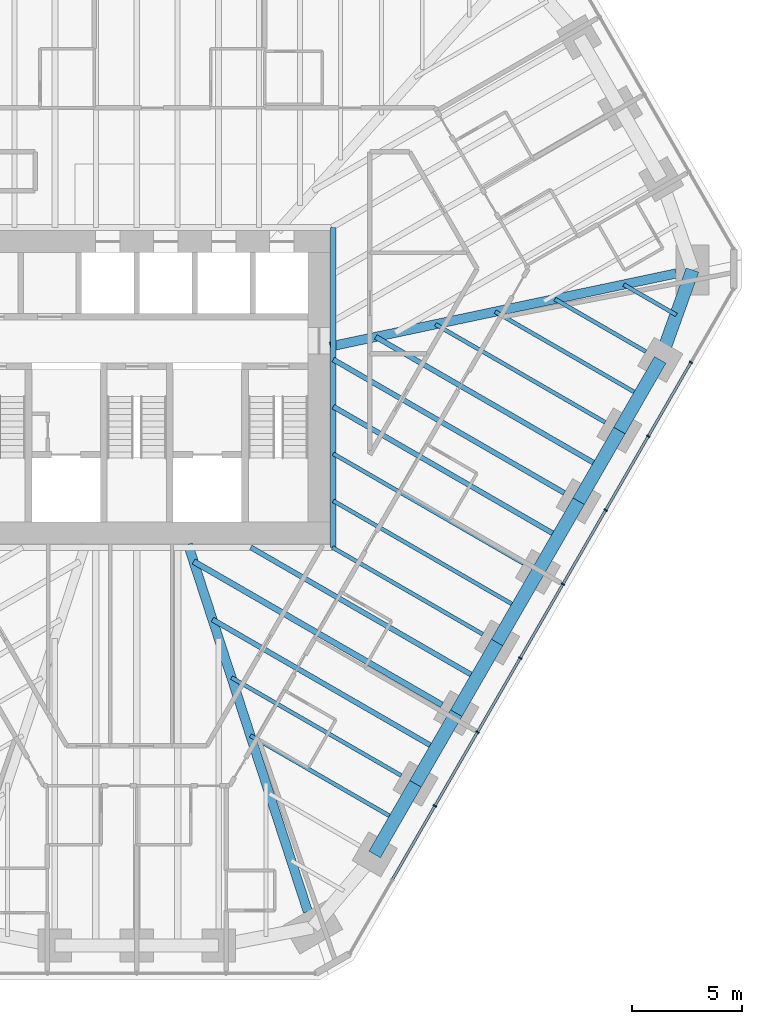
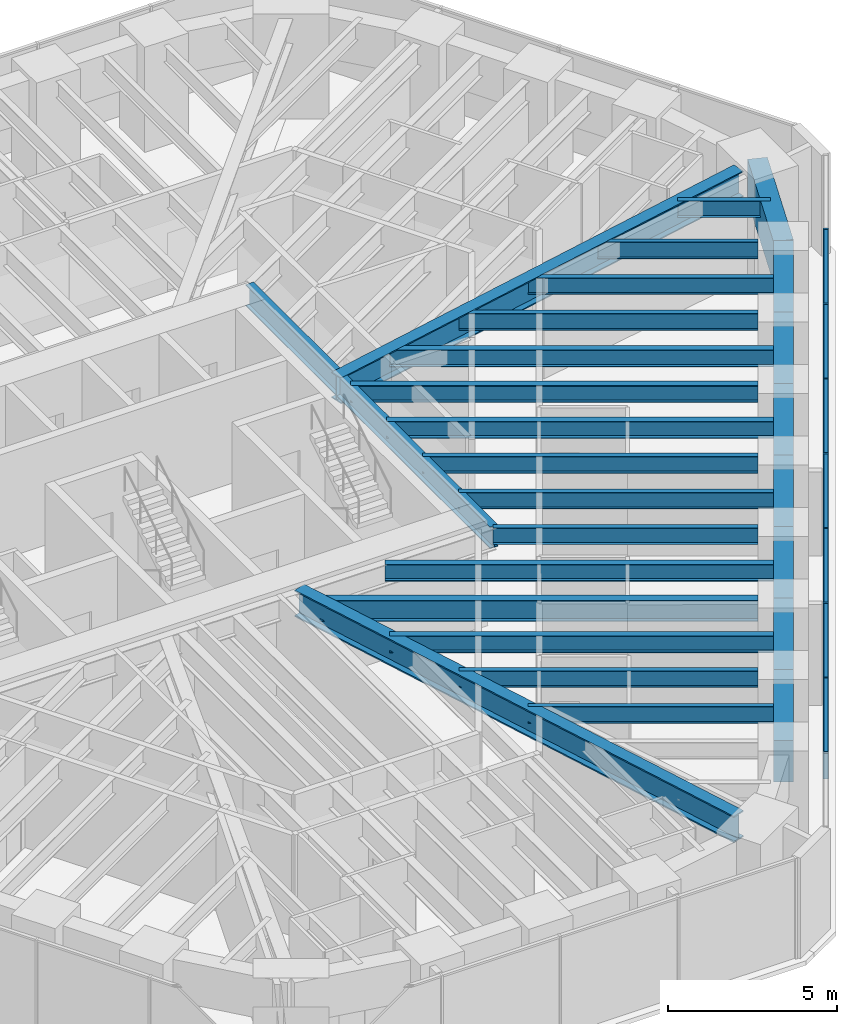
# One storey, part 5 of 17: 26 beams, 14 members, 1 element without a shape of its own.
"""IFC4 building model written with IfcOpenShell, lengths in metres."""

from ifc_helpers import new_model, si_unit, direction, frame, origin, origin_2d, place, context, subcontext, project, spatial, rectangle, i_section, extrude, material, material_profile, profile_set, type_object, element, aggregate, save


model = new_model("IFC4")

# Units and contexts
model_context = context("Model", 3, precision=1e-05, world=origin(), true_north=direction((0.0, 1.0)))
body_context = subcontext(model_context, "Body", "Model", "MODEL_VIEW")
ifc_project = project(units=[si_unit("LENGTHUNIT", "METRE"), si_unit("AREAUNIT", "SQUARE_METRE"), si_unit("VOLUMEUNIT", "CUBIC_METRE"), si_unit("PLANEANGLEUNIT", "RADIAN"), si_unit("MASSUNIT", "GRAM", prefix="KILO")], contexts=[model_context])

# Site, building, storey
site_placement = place(None, origin())
site = spatial("IfcSite", under=ifc_project, at=site_placement, CompositionType="ELEMENT")
building_placement = place(site_placement, origin())
building = spatial("IfcBuilding", under=site, at=building_placement, Name="Sandreach Pilgrim Tower", CompositionType="ELEMENT")
storey_placement = place(building_placement, frame((0.0, 0.0, 194.60009765625)))
storey = spatial("IfcBuildingStorey", under=building, at=storey_placement, Name="L48", CompositionType="ELEMENT", Elevation=194.60009765625)

# Curtain wall, members
ifc_material_1 = material(Name="Aluminium framed curtain wall", Category="aluminium")
curtain_wall_type = type_object("IfcCurtainWallType", Name="Upper hotel tower curtain wall", PredefinedType="NOTDEFINED", material=ifc_material_1)
curtain_wall_placement = place(storey_placement, origin())
curtain_wall = element("IfcCurtainWall", 1, at=curtain_wall_placement, inside=storey, type_object=curtain_wall_type, Name="CW-3 L48 SE", PredefinedType="NOTDEFINED")
ifc_material_2 = material(Name="Aluminium extrusion", Category="aluminium")
ifc_material_profile_1 = material_profile(ifc_material_2, rectangle(XDim=0.06494140625, YDim=0.159912109375, at=origin_2d()), Name="CW-3M 65X160")
ifc_profile_set_1 = profile_set([ifc_material_profile_1], Name="Aluminium extrusion")
member_type_1 = type_object("IfcMemberType", Name="CW-3 mullion", PredefinedType="MULLION", material=ifc_profile_set_1)
member_1_placement = place(storey_placement, frame((25.087890625, 1.13330078125, 0.0), z_axis=(0.0, 0.0, 1.0), x_axis=(-0.5, -0.866025403784, 0.0)))
member_1 = element("IfcMember", 2, at=member_1_placement, type_object=member_type_1, Name="CW-3 mullion 2", PredefinedType="MULLION", context=body_context, shape_type="SweptSolid", body=[
    extrude(rectangle(XDim=0.06494140625, YDim=0.159912109375, at=origin_2d()), origin(), (0.0, 0.0, 1.0), 3.639892578125),
])
member_2_placement = place(storey_placement, frame((23.15576171875, -2.21337890625, 0.0), z_axis=(0.0, 0.0, 1.0), x_axis=(-0.5, -0.866025403784, 0.0)))
member_2 = element("IfcMember", 3, at=member_2_placement, type_object=member_type_1, Name="CW-3 mullion 3", PredefinedType="MULLION", context=body_context, shape_type="SweptSolid", body=[
    extrude(rectangle(XDim=0.06494140625, YDim=0.159912109375, at=origin_2d()), origin(), (0.0, 0.0, 1.0), 3.639892578125),
])
member_3_placement = place(storey_placement, frame((21.223388671875, -5.56005859375, 0.0), z_axis=(0.0, 0.0, 1.0), x_axis=(-0.5, -0.866025403784, 0.0)))
member_3 = element("IfcMember", 4, at=member_3_placement, type_object=member_type_1, Name="CW-3 mullion 4", PredefinedType="MULLION", context=body_context, shape_type="SweptSolid", body=[
    extrude(rectangle(XDim=0.06494140625, YDim=0.159912109375, at=origin_2d()), origin(), (0.0, 0.0, 1.0), 3.639892578125),
])
member_4_placement = place(storey_placement, frame((19.291259765625, -8.90673828125, 0.0), z_axis=(0.0, 0.0, 1.0), x_axis=(-0.5, -0.866025403784, 0.0)))
member_4 = element("IfcMember", 5, at=member_4_placement, type_object=member_type_1, Name="CW-3 mullion 5", PredefinedType="MULLION", context=body_context, shape_type="SweptSolid", body=[
    extrude(rectangle(XDim=0.06494140625, YDim=0.159912109375, at=origin_2d()), origin(), (0.0, 0.0, 1.0), 3.639892578125),
])
member_5_placement = place(storey_placement, frame((17.359130859375, -12.25341796875, 0.0), z_axis=(0.0, 0.0, 1.0), x_axis=(-0.5, -0.866025403784, 0.0)))
member_5 = element("IfcMember", 6, at=member_5_placement, type_object=member_type_1, Name="CW-3 mullion 6", PredefinedType="MULLION", context=body_context, shape_type="SweptSolid", body=[
    extrude(rectangle(XDim=0.06494140625, YDim=0.159912109375, at=origin_2d()), origin(), (0.0, 0.0, 1.0), 3.639892578125),
])
member_6_placement = place(storey_placement, frame((15.4267578125, -15.60009765625, 0.0), z_axis=(0.0, 0.0, 1.0), x_axis=(-0.5, -0.866025403784, 0.0)))
member_6 = element("IfcMember", 7, at=member_6_placement, type_object=member_type_1, Name="CW-3 mullion 7", PredefinedType="MULLION", context=body_context, shape_type="SweptSolid", body=[
    extrude(rectangle(XDim=0.06494140625, YDim=0.159912109375, at=origin_2d()), origin(), (0.0, 0.0, 1.0), 3.639892578125),
])
member_7_placement = place(storey_placement, frame((13.49462890625, -18.94677734375, 0.0), z_axis=(0.0, 0.0, 1.0), x_axis=(-0.5, -0.866025403784, 0.0)))
member_7 = element("IfcMember", 8, at=member_7_placement, type_object=member_type_1, Name="CW-3 mullion 8", PredefinedType="MULLION", context=body_context, shape_type="SweptSolid", body=[
    extrude(rectangle(XDim=0.06494140625, YDim=0.159912109375, at=origin_2d()), origin(), (0.0, 0.0, 1.0), 3.639892578125),
])
ifc_material_3 = material(Name="Aluminium extrusion", Category="aluminium")
ifc_material_profile_2 = material_profile(ifc_material_3, rectangle(XDim=0.1201171875, YDim=0.070068359375, at=origin_2d()), Name="CW-3T 120X70")
ifc_profile_set_2 = profile_set([ifc_material_profile_2], Name="Aluminium extrusion")
member_type_2 = type_object("IfcMemberType", Name="CW-3 transom", PredefinedType="USERDEFINED", material=ifc_profile_set_2)
member_8_placement = place(storey_placement, frame((25.07177734375, 1.105224609375, 3.60498046875), z_axis=(-0.500022797313, -0.86601224135, 0.0), x_axis=(0.86601224135, -0.500022797313, 0.0)))
member_8 = element("IfcMember", 9, at=member_8_placement, type_object=member_type_2, Name="CW-3 head transom 2", ObjectType="TRANSOM", PredefinedType="USERDEFINED", context=body_context, shape_type="SweptSolid", body=[
    extrude(rectangle(XDim=0.1201171875, YDim=0.070068359375, at=origin_2d()), origin(), (0.0, 0.0, 1.0), 3.799560546875),
])
member_9_placement = place(storey_placement, frame((23.139404296875, -2.241455078125, 3.60498046875), z_axis=(-0.499974606132, -0.866040064445, 0.0), x_axis=(0.866040064445, -0.499974606132, 0.0)))
member_9 = element("IfcMember", 10, at=member_9_placement, type_object=member_type_2, Name="CW-3 head transom 3", ObjectType="TRANSOM", PredefinedType="USERDEFINED", context=body_context, shape_type="SweptSolid", body=[
    extrude(rectangle(XDim=0.1201171875, YDim=0.070068359375, at=origin_2d()), origin(), (0.0, 0.0, 1.0), 3.799560546875),
])
member_10_placement = place(storey_placement, frame((21.207275390625, -5.588134765625, 3.60498046875), z_axis=(-0.499974606132, -0.866040064445, 0.0), x_axis=(0.866040064445, -0.499974606132, 0.0)))
member_10 = element("IfcMember", 11, at=member_10_placement, type_object=member_type_2, Name="CW-3 head transom 4", ObjectType="TRANSOM", PredefinedType="USERDEFINED", context=body_context, shape_type="SweptSolid", body=[
    extrude(rectangle(XDim=0.1201171875, YDim=0.070068359375, at=origin_2d()), origin(), (0.0, 0.0, 1.0), 3.799560546875),
])
member_11_placement = place(storey_placement, frame((19.275146484375, -8.934814453125, 3.60498046875), z_axis=(-0.500022797313, -0.86601224135, 0.0), x_axis=(0.86601224135, -0.500022797313, 0.0)))
member_11 = element("IfcMember", 12, at=member_11_placement, type_object=member_type_2, Name="CW-3 head transom 5", ObjectType="TRANSOM", PredefinedType="USERDEFINED", context=body_context, shape_type="SweptSolid", body=[
    extrude(rectangle(XDim=0.1201171875, YDim=0.070068359375, at=origin_2d()), origin(), (0.0, 0.0, 1.0), 3.799560546875),
])
member_12_placement = place(storey_placement, frame((17.3427734375, -12.281494140625, 3.60498046875), z_axis=(-0.499974606132, -0.866040064445, 0.0), x_axis=(0.866040064445, -0.499974606132, 0.0)))
member_12 = element("IfcMember", 13, at=member_12_placement, type_object=member_type_2, Name="CW-3 head transom 6", ObjectType="TRANSOM", PredefinedType="USERDEFINED", context=body_context, shape_type="SweptSolid", body=[
    extrude(rectangle(XDim=0.1201171875, YDim=0.070068359375, at=origin_2d()), origin(), (0.0, 0.0, 1.0), 3.799560546875),
])
member_13_placement = place(storey_placement, frame((15.41064453125, -15.628173828125, 3.60498046875), z_axis=(-0.499974606132, -0.866040064445, 0.0), x_axis=(0.866040064445, -0.499974606132, 0.0)))
member_13 = element("IfcMember", 14, at=member_13_placement, type_object=member_type_2, Name="CW-3 head transom 7", ObjectType="TRANSOM", PredefinedType="USERDEFINED", context=body_context, shape_type="SweptSolid", body=[
    extrude(rectangle(XDim=0.1201171875, YDim=0.070068359375, at=origin_2d()), origin(), (0.0, 0.0, 1.0), 3.799560546875),
])
member_14_placement = place(storey_placement, frame((13.478515625, -18.974853515625, 3.60498046875), z_axis=(-0.500022797313, -0.86601224135, 0.0), x_axis=(0.86601224135, -0.500022797313, 0.0)))
member_14 = element("IfcMember", 15, at=member_14_placement, type_object=member_type_2, Name="CW-3 head transom 8", ObjectType="TRANSOM", PredefinedType="USERDEFINED", context=body_context, shape_type="SweptSolid", body=[
    extrude(rectangle(XDim=0.1201171875, YDim=0.070068359375, at=origin_2d()), origin(), (0.0, 0.0, 1.0), 3.799560546875),
])
aggregate(curtain_wall, [member_1, member_2, member_3, member_4, member_5, member_6, member_7, member_8, member_9, member_10, member_11, member_12, member_13, member_14])

# Beams
ifc_material_4 = material(Name="Steel ASTM A992 Grade 50", Category="steel")
ifc_material_profile_3 = material_profile(ifc_material_4, i_section(OverallWidth=0.2666015625, OverallDepth=0.77978515625, WebThickness=0.0166015625, FlangeThickness=0.030029296875, at=origin_2d()), Name="W30X148")
ifc_profile_set_3 = profile_set([ifc_material_profile_3], Name="Steel ASTM A992 Grade 50")
beam_type_1 = type_object("IfcBeamType", Name="Core edge beam W30X148", PredefinedType="BEAM", material=ifc_profile_set_3)
beam_1_placement = place(storey_placement, frame((8.893310546875, 7.243408203125, 3.25), z_axis=(0.0, -1.0, 0.0), x_axis=(1.0, 0.0, 0.0)))
element("IfcBeam", 16, at=beam_1_placement, inside=storey, type_object=beam_type_1, Name="BM L48 CEE", PredefinedType="BEAM", context=body_context, shape_type="SweptSolid", body=[
    extrude(i_section(OverallWidth=0.2666015625, OverallDepth=0.77978515625, WebThickness=0.0166015625, FlangeThickness=0.030029296875, at=origin_2d()), origin(), (0.0, 0.0, 1.0), 14.48681640625),
])
ifc_material_5 = material(Name="Steel ASTM A992 Grade 50", Category="steel")
ifc_material_profile_4 = material_profile(ifc_material_5, i_section(OverallWidth=0.421630859375, OverallDepth=0.937255859375, WebThickness=0.0224609375, FlangeThickness=0.039794921875, at=origin_2d()), Name="W36X282")
ifc_profile_set_4 = profile_set([ifc_material_profile_4], Name="Steel ASTM A992 Grade 50")
beam_type_2 = type_object("IfcBeamType", Name="Corner girder W36X282", PredefinedType="BEAM", material=ifc_profile_set_4)
beam_2_placement = place(storey_placement, frame((24.422607421875, 5.156494140625, 3.17138671875), z_axis=(-0.978428978804, -0.206583478132, 0.0), x_axis=(0.206583478132, -0.978428978804, 0.0)))
element("IfcBeam", 17, at=beam_2_placement, inside=storey, type_object=beam_type_2, Name="BM L48 CG13", PredefinedType="BEAM", context=body_context, shape_type="SweptSolid", body=[
    extrude(i_section(OverallWidth=0.421630859375, OverallDepth=0.937255859375, WebThickness=0.0224609375, FlangeThickness=0.039794921875, at=origin_2d()), origin(), (0.0, 0.0, 1.0), 16.01806640625),
])
ifc_material_6 = material(Name="Steel ASTM A992 Grade 50", Category="steel")
ifc_material_profile_5 = material_profile(ifc_material_6, i_section(OverallWidth=0.421630859375, OverallDepth=0.95751953125, WebThickness=0.02587890625, FlangeThickness=0.046875, at=origin_2d()), Name="W36X330")
ifc_profile_set_5 = profile_set([ifc_material_profile_5], Name="Steel ASTM A992 Grade 50")
beam_type_3 = type_object("IfcBeamType", Name="Corner girder W36X330", PredefinedType="BEAM", material=ifc_profile_set_5)
beam_3_placement = place(storey_placement, frame((7.745849609375, -23.72900390625, 3.1611328125), z_axis=(-0.310317870968, 0.950632851819, 0.0), x_axis=(-0.950632851819, -0.310317870968, 0.0)))
element("IfcBeam", 18, at=beam_3_placement, inside=storey, type_object=beam_type_3, Name="BM L48 CG22", PredefinedType="BEAM", context=body_context, shape_type="SweptSolid", body=[
    extrude(i_section(OverallWidth=0.421630859375, OverallDepth=0.95751953125, WebThickness=0.02587890625, FlangeThickness=0.046875, at=origin_2d()), origin(), (0.0, 0.0, 1.0), 17.492431640625),
])
ifc_material_7 = material(Name="Steel ASTM A992 Grade 50", Category="steel")
ifc_material_profile_6 = material_profile(ifc_material_7, i_section(OverallWidth=0.1787109375, OverallDepth=0.60205078125, WebThickness=0.010986328125, FlangeThickness=0.014892578125, at=origin_2d()), Name="W24X62")
ifc_profile_set_6 = profile_set([ifc_material_profile_6], Name="Steel ASTM A992 Grade 50")
beam_type_4 = type_object("IfcBeamType", Name="Floor beam W24X62", PredefinedType="BEAM", material=ifc_profile_set_6)
beam_4_placement = place(storey_placement, frame((23.04638671875, 1.6171875, 3.3388671875), z_axis=(-0.86603347311, 0.499986023258, 0.0), x_axis=(-0.499986023258, -0.86603347311, 0.0)))
element("IfcBeam", 19, at=beam_4_placement, inside=storey, type_object=beam_type_4, Name="BM L48 F14", PredefinedType="BEAM", context=body_context, shape_type="SweptSolid", body=[
    extrude(i_section(OverallWidth=0.1787109375, OverallDepth=0.60205078125, WebThickness=0.010986328125, FlangeThickness=0.014892578125, at=origin_2d()), origin(), (0.0, 0.0, 1.0), 4.757568359375),
])
beam_5_placement = place(storey_placement, frame((21.2001953125, -1.58056640625, 3.3388671875), z_axis=(-0.866027448082, 0.499996459156, 0.0), x_axis=(-0.499996459156, -0.866027448082, 0.0)))
element("IfcBeam", 20, at=beam_5_placement, inside=storey, type_object=beam_type_4, Name="BM L48 F15", PredefinedType="BEAM", context=body_context, shape_type="SweptSolid", body=[
    extrude(i_section(OverallWidth=0.1787109375, OverallDepth=0.60205078125, WebThickness=0.010986328125, FlangeThickness=0.014892578125, at=origin_2d()), origin(), (0.0, 0.0, 1.0), 8.86962890625),
])
beam_6_placement = place(storey_placement, frame((17.507568359375, -7.97607421875, 3.3388671875), z_axis=(-0.866027815265, 0.499995823171, 0.0), x_axis=(-0.499995823171, -0.866027815265, 0.0)))
element("IfcBeam", 21, at=beam_6_placement, inside=storey, type_object=beam_type_4, Name="BM L48 F17", PredefinedType="BEAM", context=body_context, shape_type="SweptSolid", body=[
    extrude(i_section(OverallWidth=0.1787109375, OverallDepth=0.60205078125, WebThickness=0.010986328125, FlangeThickness=0.014892578125, at=origin_2d()), origin(), (0.0, 0.0, 1.0), 9.94677734375),
])
beam_7_placement = place(storey_placement, frame((15.661376953125, -11.173828125, 3.3388671875), z_axis=(-0.866038711524, 0.49997694961, 0.0), x_axis=(-0.49997694961, -0.866038711524, 0.0)))
element("IfcBeam", 22, at=beam_7_placement, inside=storey, type_object=beam_type_4, Name="BM L48 F18", PredefinedType="BEAM", context=body_context, shape_type="SweptSolid", body=[
    extrude(i_section(OverallWidth=0.1787109375, OverallDepth=0.60205078125, WebThickness=0.010986328125, FlangeThickness=0.014892578125, at=origin_2d()), origin(), (0.0, 0.0, 1.0), 7.861083984375),
])
beam_8_placement = place(storey_placement, frame((11.96875, -17.569580078125, 3.3388671875), z_axis=(-0.866020566617, 0.500008378126, 0.0), x_axis=(-0.500008378126, -0.866020566617, 0.0)))
element("IfcBeam", 23, at=beam_8_placement, inside=storey, type_object=beam_type_4, Name="BM L48 F20", PredefinedType="BEAM", context=body_context, shape_type="SweptSolid", body=[
    extrude(i_section(OverallWidth=0.1787109375, OverallDepth=0.60205078125, WebThickness=0.010986328125, FlangeThickness=0.014892578125, at=origin_2d()), origin(), (0.0, 0.0, 1.0), 8.869384765625),
])
beam_9_placement = place(storey_placement, frame((24.42626953125, 3.27685546875, 3.3388671875), z_axis=(-0.866046803606, 0.49996293259, 0.0), x_axis=(-0.49996293259, -0.866046803606, 0.0)))
element("IfcBeam", 24, at=beam_9_placement, inside=storey, type_object=beam_type_4, Name="BM L48 FM13", PredefinedType="BEAM", context=body_context, shape_type="SweptSolid", body=[
    extrude(i_section(OverallWidth=0.1787109375, OverallDepth=0.60205078125, WebThickness=0.010986328125, FlangeThickness=0.014892578125, at=origin_2d()), origin(), (0.0, 0.0, 1.0), 2.753662109375),
])
beam_10_placement = place(storey_placement, frame((22.772705078125, -0.356689453125, 3.3388671875), z_axis=(-0.866029704776, 0.49999255039, 0.0), x_axis=(-0.49999255039, -0.866029704776, 0.0)))
element("IfcBeam", 25, at=beam_10_placement, inside=storey, type_object=beam_type_4, Name="BM L48 FM14", PredefinedType="BEAM", context=body_context, shape_type="SweptSolid", body=[
    extrude(i_section(OverallWidth=0.1787109375, OverallDepth=0.60205078125, WebThickness=0.010986328125, FlangeThickness=0.014892578125, at=origin_2d()), origin(), (0.0, 0.0, 1.0), 7.5634765625),
])
beam_11_placement = place(storey_placement, frame((17.23388671875, -9.949951171875, 3.3388671875), z_axis=(-0.866025593094, 0.499999672107, 0.0), x_axis=(-0.499999672107, -0.866025593094, 0.0)))
element("IfcBeam", 26, at=beam_11_placement, inside=storey, type_object=beam_type_4, Name="BM L48 FM17", PredefinedType="BEAM", context=body_context, shape_type="SweptSolid", body=[
    extrude(i_section(OverallWidth=0.1787109375, OverallDepth=0.60205078125, WebThickness=0.010986328125, FlangeThickness=0.014892578125, at=origin_2d()), origin(), (0.0, 0.0, 1.0), 9.630859375),
])
beam_12_placement = place(storey_placement, frame((11.6953125, -19.54345703125, 3.3388671875), z_axis=(-0.866029704776, 0.49999255039, 0.0), x_axis=(-0.49999255039, -0.866029704776, 0.0)))
element("IfcBeam", 27, at=beam_12_placement, inside=storey, type_object=beam_type_4, Name="BM L48 FM20", PredefinedType="BEAM", context=body_context, shape_type="SweptSolid", body=[
    extrude(i_section(OverallWidth=0.1787109375, OverallDepth=0.60205078125, WebThickness=0.010986328125, FlangeThickness=0.014892578125, at=origin_2d()), origin(), (0.0, 0.0, 1.0), 7.5634765625),
])
ifc_material_8 = material(Name="Steel ASTM A992 Grade 50", Category="steel")
ifc_material_profile_7 = material_profile(ifc_material_8, i_section(OverallWidth=0.23046875, OverallDepth=0.6171875, WebThickness=0.01318359375, FlangeThickness=0.022216796875, at=origin_2d()), Name="W24X94")
ifc_profile_set_7 = profile_set([ifc_material_profile_7], Name="Steel ASTM A992 Grade 50")
beam_type_5 = type_object("IfcBeamType", Name="Floor beam W24X94", PredefinedType="BEAM", material=ifc_profile_set_7)
beam_13_placement = place(storey_placement, frame((19.353759765625, -4.7783203125, 3.331298828125), z_axis=(-0.866026713419, 0.49999773164, 0.0), x_axis=(-0.49999773164, -0.866026713419, 0.0)))
element("IfcBeam", 28, at=beam_13_placement, inside=storey, type_object=beam_type_5, Name="BM L48 F16", PredefinedType="BEAM", context=body_context, shape_type="SweptSolid", body=[
    extrude(i_section(OverallWidth=0.23046875, OverallDepth=0.6171875, WebThickness=0.01318359375, FlangeThickness=0.022216796875, at=origin_2d()), origin(), (0.0, 0.0, 1.0), 12.07861328125),
])
beam_14_placement = place(storey_placement, frame((20.926513671875, -3.554443359375, 3.331298828125), z_axis=(-0.866026454974, 0.499998179282, 0.0), x_axis=(-0.499998179282, -0.866026454974, 0.0)))
element("IfcBeam", 29, at=beam_14_placement, inside=storey, type_object=beam_type_5, Name="BM L48 FM15", PredefinedType="BEAM", context=body_context, shape_type="SweptSolid", body=[
    extrude(i_section(OverallWidth=0.23046875, OverallDepth=0.6171875, WebThickness=0.01318359375, FlangeThickness=0.022216796875, at=origin_2d()), origin(), (0.0, 0.0, 1.0), 11.67578125),
])
beam_15_placement = place(storey_placement, frame((19.080322265625, -6.752197265625, 3.331298828125), z_axis=(-0.866030053141, 0.499991946992, 0.0), x_axis=(-0.499991946992, -0.866030053141, 0.0)))
element("IfcBeam", 30, at=beam_15_placement, inside=storey, type_object=beam_type_5, Name="BM L48 FM16", PredefinedType="BEAM", context=body_context, shape_type="SweptSolid", body=[
    extrude(i_section(OverallWidth=0.23046875, OverallDepth=0.6171875, WebThickness=0.01318359375, FlangeThickness=0.022216796875, at=origin_2d()), origin(), (0.0, 0.0, 1.0), 11.762939453125),
])
beam_16_placement = place(storey_placement, frame((15.3876953125, -13.14794921875, 3.331298828125), z_axis=(-0.866022050506, 0.500005808004, 0.0), x_axis=(-0.500005808004, -0.866022050506, 0.0)))
element("IfcBeam", 31, at=beam_16_placement, inside=storey, type_object=beam_type_5, Name="BM L48 FM18", PredefinedType="BEAM", context=body_context, shape_type="SweptSolid", body=[
    extrude(i_section(OverallWidth=0.23046875, OverallDepth=0.6171875, WebThickness=0.01318359375, FlangeThickness=0.022216796875, at=origin_2d()), origin(), (0.0, 0.0, 1.0), 11.808837890625),
])
beam_17_placement = place(storey_placement, frame((13.54150390625, -16.345703125, 3.331298828125), z_axis=(-0.866026454974, 0.499998179282, 0.0), x_axis=(-0.499998179282, -0.866026454974, 0.0)))
element("IfcBeam", 32, at=beam_17_placement, inside=storey, type_object=beam_type_5, Name="BM L48 FM19", PredefinedType="BEAM", context=body_context, shape_type="SweptSolid", body=[
    extrude(i_section(OverallWidth=0.23046875, OverallDepth=0.6171875, WebThickness=0.01318359375, FlangeThickness=0.022216796875, at=origin_2d()), origin(), (0.0, 0.0, 1.0), 11.67578125),
])
ifc_material_9 = material(Name="Steel ASTM A992 Grade 50", Category="steel")
ifc_material_profile_8 = material_profile(ifc_material_9, i_section(OverallWidth=0.2666015625, OverallDepth=0.761962890625, WebThickness=0.014404296875, FlangeThickness=0.021484375, at=origin_2d()), Name="W30X116")
ifc_profile_set_8 = profile_set([ifc_material_profile_8], Name="Steel ASTM A992 Grade 50")
beam_type_6 = type_object("IfcBeamType", Name="Floor beam W30X116", PredefinedType="BEAM", material=ifc_profile_set_8)
beam_18_placement = place(storey_placement, frame((13.815185546875, -14.371826171875, 3.2587890625), z_axis=(-0.866025240073, 0.500000283557, 0.0), x_axis=(-0.500000283557, -0.866025240073, 0.0)))
element("IfcBeam", 33, at=beam_18_placement, inside=storey, type_object=beam_type_6, Name="BM L48 F19", PredefinedType="BEAM", context=body_context, shape_type="SweptSolid", body=[
    extrude(i_section(OverallWidth=0.2666015625, OverallDepth=0.761962890625, WebThickness=0.014404296875, FlangeThickness=0.021484375, at=origin_2d()), origin(), (0.0, 0.0, 1.0), 12.98193359375),
])
ifc_material_10 = material(Name="Concrete 10000 psi", Category="concrete")
ifc_material_profile_9 = material_profile(ifc_material_10, rectangle(XDim=0.60009765625, YDim=1.5, at=origin_2d()), Name="RC600X1500")
ifc_profile_set_9 = profile_set([ifc_material_profile_9], Name="Concrete 10000 psi")
beam_type_7 = type_object("IfcBeamType", Name="Spandrel beam RC600X1500", PredefinedType="SPANDREL", material=ifc_profile_set_9)
beam_19_placement = place(storey_placement, frame((25.156494140625, 5.311279296875, 2.889892578125), z_axis=(-0.337863470932, -0.941195131208, 0.0), x_axis=(0.941195131208, -0.337863470932, 0.0)))
element("IfcBeam", 34, at=beam_19_placement, inside=storey, type_object=beam_type_7, Name="BM L48 SP13", PredefinedType="SPANDREL", context=body_context, shape_type="SweptSolid", body=[
    extrude(rectangle(XDim=0.60009765625, YDim=1.5, at=origin_2d()), origin(), (0.0, 0.0, 1.0), 4.3232421875),
])
for number, where, z_axis, x_axis, name in (
    (35, (23.69580078125, 1.2421875, 2.889892578125), (-0.499993363642, -0.866029235253, 0.0), (0.866029235253, -0.499993363642, 0.0), "BM L48 SP14"),
    (36, (21.849609375, -1.95556640625, 2.889892578125), (-0.499993363642, -0.866029235253, 0.0), (0.866029235253, -0.499993363642, 0.0), "BM L48 SP15"),
    (37, (20.00341796875, -5.1533203125, 2.889892578125), (-0.499993363642, -0.866029235253, 0.0), (0.866029235253, -0.499993363642, 0.0), "BM L48 SP16"),
):
    element("IfcBeam", number, at=place(storey_placement, frame(where, z_axis=z_axis, x_axis=x_axis)), inside=storey, type_object=beam_type_7, Name=name, PredefinedType="SPANDREL", context=body_context, shape_type="SweptSolid", body=[
        extrude(rectangle(XDim=0.60009765625, YDim=1.5, at=origin_2d()), origin(), (0.0, 0.0, 1.0), 3.6923828125),
    ])
for number, where, z_axis, x_axis, name in (
    (38, (18.1572265625, -8.35107421875, 2.889892578125), (-0.500042951019, -0.866000604582, 0.0), (0.866000604582, -0.500042951019, 0.0), "BM L48 SP17"),
    (39, (16.310791015625, -11.548828125, 2.889892578125), (-0.49996473481, -0.866045763194, 0.0), (0.866045763194, -0.49996473481, 0.0), "BM L48 SP18"),
):
    element("IfcBeam", number, at=place(storey_placement, frame(where, z_axis=z_axis, x_axis=x_axis)), inside=storey, type_object=beam_type_7, Name=name, PredefinedType="SPANDREL", context=body_context, shape_type="SweptSolid", body=[
        extrude(rectangle(XDim=0.60009765625, YDim=1.5, at=origin_2d()), origin(), (0.0, 0.0, 1.0), 3.692626953125),
    ])
for number, where, z_axis, x_axis, name in (
    (40, (14.464599609375, -14.746826171875, 2.889892578125), (-0.499993363642, -0.866029235253, 0.0), (0.866029235253, -0.499993363642, 0.0), "BM L48 SP19"),
    (41, (12.618408203125, -17.944580078125, 2.889892578125), (-0.499993363642, -0.866029235253, 0.0), (0.866029235253, -0.499993363642, 0.0), "BM L48 SP20"),
):
    element("IfcBeam", number, at=place(storey_placement, frame(where, z_axis=z_axis, x_axis=x_axis)), inside=storey, type_object=beam_type_7, Name=name, PredefinedType="SPANDREL", context=body_context, shape_type="SweptSolid", body=[
        extrude(rectangle(XDim=0.60009765625, YDim=1.5, at=origin_2d()), origin(), (0.0, 0.0, 1.0), 3.6923828125),
    ])

save(model, "model.ifc")
